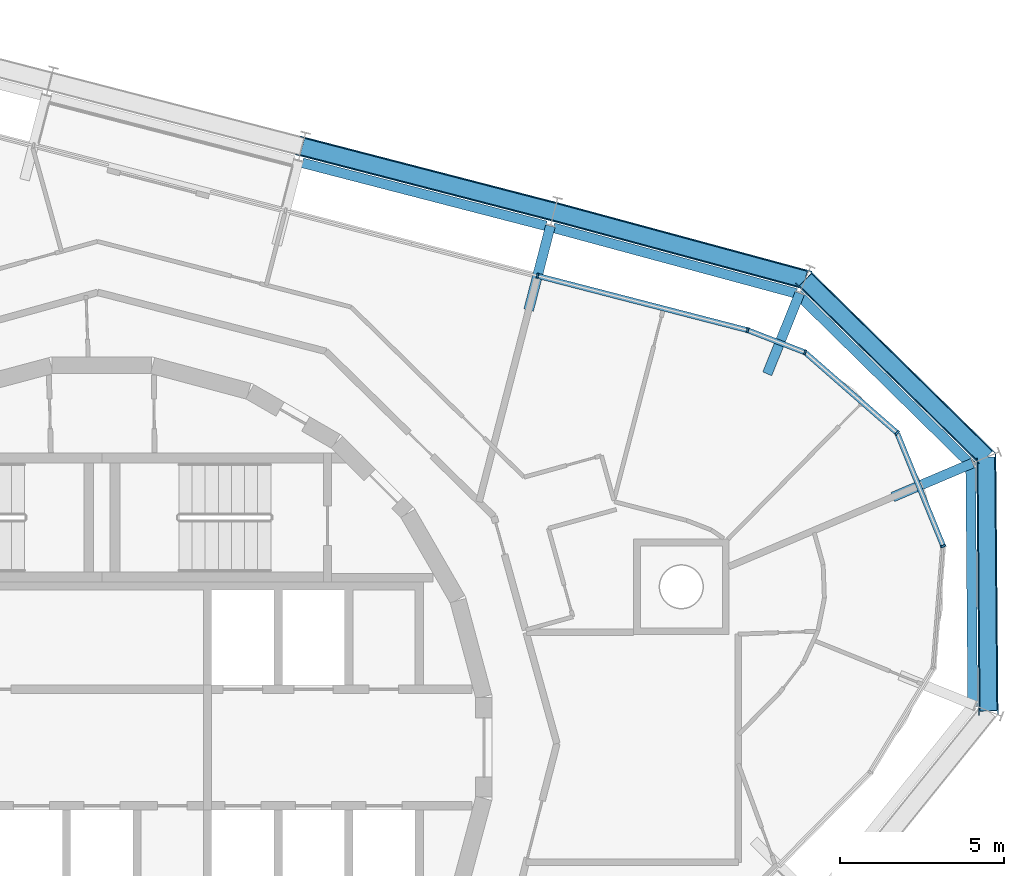
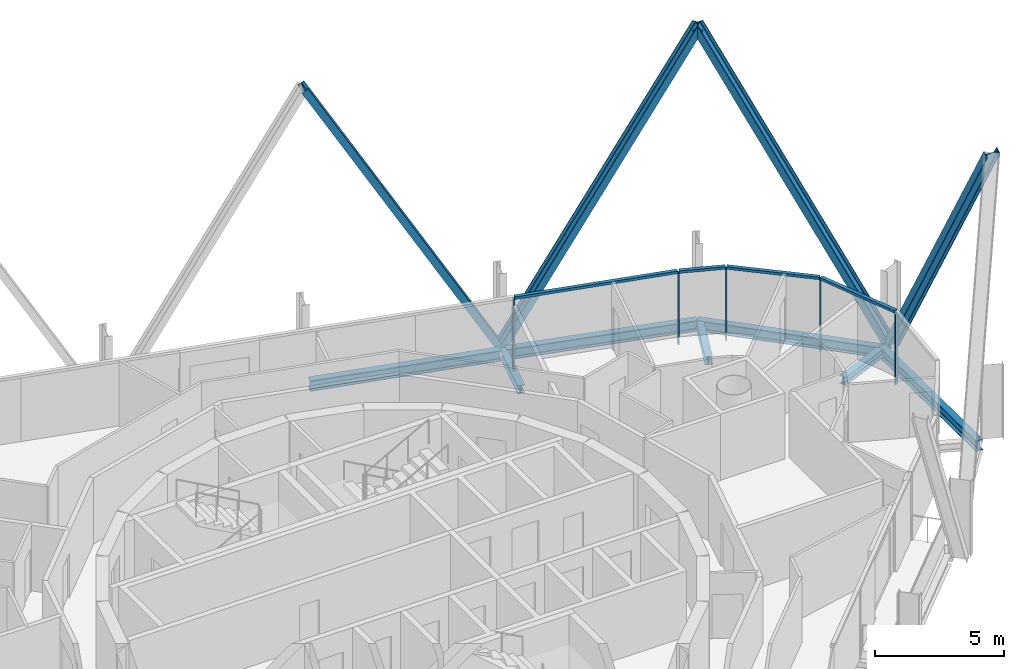
# One storey, part 7 of 15: 13 members, 7 beams, 2 elements without a shape of their own.
"""IFC4 building model written with IfcOpenShell, lengths in metres."""

import ifcopenshell
import ifcopenshell.guid

model = None  # the IFC model being written
_history = None  # IfcOwnerHistory: only IFC2X3 demands one
_inside = {}  # id of a spatial element -> (the spatial element, [elements in it])
_under = {}  # id of a project, library or spatial element -> (it, [spatial elements below it])
_declared = {}  # id of a project -> (the project, [libraries it declares])
_typed = {}  # id of a type object -> (the type object, [elements of that type])
_made_of = {}  # id of a material, layer set ... -> (it, [elements and type objects made of it])


def new_model(schema):
    """Start an empty IFC model of exactly this schema.

    Asked for "IFC4X3", IfcOpenShell would pick the latest addendum, in which some entities
    have other attributes; the version numbers below select the first issue.
    IFC2X3 requires an IfcOwnerHistory on every rooted entity: one is made here for all.
    """
    global model, _history
    if schema == "IFC4X3":
        model = ifcopenshell.file(schema_version=(4, 3, 0, 0))
    else:
        model = ifcopenshell.file(schema=schema)
    _inside.clear()
    _under.clear()
    _declared.clear()
    _typed.clear()
    _made_of.clear()
    _history = None
    if model.schema == "IFC2X3":
        org = make("IfcOrganization", Name="unknown")
        user = make(
            "IfcPersonAndOrganization",
            ThePerson=make("IfcPerson", FamilyName="unknown"),
            TheOrganization=org,
        )
        app = make(
            "IfcApplication",
            ApplicationDeveloper=org,
            Version="unknown",
            ApplicationFullName="unknown",
            ApplicationIdentifier="unknown",
        )
        _history = make(
            "IfcOwnerHistory",
            OwningUser=user,
            OwningApplication=app,
            ChangeAction="ADDED",
            CreationDate=0,
        )
    return model


def make(cls, **values):
    """One entity of the class cls with the attributes given. An attribute that is None is left unset."""
    return model.create_entity(
        cls, **{name: value for name, value in values.items() if value is not None}
    )


def rooted(cls, **values):
    """An entity with a GlobalId (a new one), such as an element, a storey or a relation."""
    return make(cls, GlobalId=ifcopenshell.guid.new(), OwnerHistory=_history, **values)


def si_unit(unit_type, name, prefix=None):
    """IfcSIUnit, for example si_unit("LENGTHUNIT", "METRE", prefix="MILLI")."""
    return make("IfcSIUnit", UnitType=unit_type, Prefix=prefix, Name=name)


def assignment(units):
    """IfcUnitAssignment: the units of a project."""
    return None if units is None else make("IfcUnitAssignment", Units=units)


def point(xyz):
    """IfcCartesianPoint."""
    return None if xyz is None else make("IfcCartesianPoint", Coordinates=xyz)


def direction(xyz):
    """IfcDirection."""
    return None if xyz is None else make("IfcDirection", DirectionRatios=xyz)


def frame(location, z_axis=None, x_axis=None):
    """IfcAxis2Placement3D, a coordinate frame: its origin and axes. An axis left out is left unset."""
    return make(
        "IfcAxis2Placement3D",
        Location=point(location),
        Axis=direction(z_axis),
        RefDirection=direction(x_axis),
    )


def frame_2d(location, x_axis=None):
    """IfcAxis2Placement2D, a coordinate frame in the plane: its origin and x axis."""
    return make(
        "IfcAxis2Placement2D", Location=point(location), RefDirection=direction(x_axis)
    )


def origin():
    """The frame at (0, 0, 0) with its axes left unset."""
    return frame((0.0, 0.0, 0.0))


def origin_2d():
    """The frame at (0, 0) in the plane with its x axis left unset."""
    return frame_2d((0.0, 0.0))


def place(relative_to, where):
    """IfcLocalPlacement: puts the frame where relative to a parent placement (None: the world)."""
    return make(
        "IfcLocalPlacement", PlacementRelTo=relative_to, RelativePlacement=where
    )


def context(
    kind, dimensions, precision=None, world=None, true_north=None, identifier=None
):
    """IfcGeometricRepresentationContext, for example the 3D "Model" context."""
    return make(
        "IfcGeometricRepresentationContext",
        ContextIdentifier=identifier,
        ContextType=kind,
        CoordinateSpaceDimension=dimensions,
        Precision=precision,
        WorldCoordinateSystem=world,
        TrueNorth=true_north,
    )


def subcontext(parent, identifier, kind, view, scale=None):
    """IfcGeometricRepresentationSubContext, for example "Body" below "Model"."""
    return make(
        "IfcGeometricRepresentationSubContext",
        ContextIdentifier=identifier,
        ContextType=kind,
        ParentContext=parent,
        TargetScale=scale,
        TargetView=view,
    )


def project(units=None, contexts=None):
    """IfcProject with its units and contexts."""
    return rooted(
        "IfcProject",
        Name="project",
        RepresentationContexts=contexts,
        UnitsInContext=assignment(units),
    )


def spatial(cls, under=None, at=None, **own):
    """A site, building, storey or space (cls), placed at a placement, below another one or the project."""
    s = rooted(cls, ObjectPlacement=at, **own)
    if under is not None:
        _under.setdefault(under.id(), (under, []))[1].append(s)
    return s


def profile(cls, at=None, kind="AREA", **sizes):
    """A parametric profile (cls). Its sizes go by their IFC names, for example OverallWidth=200.0."""
    return make(cls, ProfileType=kind, Position=at, **sizes)


def rectangle(**sizes):
    """IfcRectangleProfileDef."""
    return profile("IfcRectangleProfileDef", **sizes)


def i_section(**sizes):
    """IfcIShapeProfileDef."""
    return profile("IfcIShapeProfileDef", **sizes)


def extrude(swept, where, along, depth):
    """IfcExtrudedAreaSolid: the profile swept, set in the frame where, extruded along a direction by depth."""
    return make(
        "IfcExtrudedAreaSolid",
        SweptArea=swept,
        Position=where,
        ExtrudedDirection=direction(along),
        Depth=depth,
    )


def shape(context_of_items, identifier, shape_type, items):
    """IfcShapeRepresentation: the items that make up one representation, for example the "Body"."""
    return make(
        "IfcShapeRepresentation",
        ContextOfItems=context_of_items,
        RepresentationIdentifier=identifier,
        RepresentationType=shape_type,
        Items=items,
    )


def material(Name=None, Category=None):
    """IfcMaterial."""
    return make("IfcMaterial", Name=Name, Category=Category)


def layer(
    of_material, thickness, ventilated=None, Name=None, Category=None, Priority=None
):
    """IfcMaterialLayer: one layer of a wall or slab, of a material (None: an air gap)."""
    return make(
        "IfcMaterialLayer",
        Material=of_material,
        LayerThickness=thickness,
        IsVentilated=ventilated,
        Name=Name,
        Category=Category,
        Priority=Priority,
    )


def layer_set(layers, Name=None):
    """IfcMaterialLayerSet."""
    return make("IfcMaterialLayerSet", MaterialLayers=layers, LayerSetName=Name)


def material_profile(
    of_material, cross_section, Name=None, Category=None, Priority=None
):
    """IfcMaterialProfile: a cross section and its material."""
    return make(
        "IfcMaterialProfile",
        Name=Name,
        Material=of_material,
        Profile=cross_section,
        Priority=Priority,
        Category=Category,
    )


def profile_set(profiles, Name=None, composite=None):
    """IfcMaterialProfileSet."""
    return make(
        "IfcMaterialProfileSet",
        Name=Name,
        MaterialProfiles=profiles,
        CompositeProfile=composite,
    )


def made_of(thing, what):
    """Note that an element or type object is made of a material, layer set ...; save() writes the relation."""
    if what is not None:
        _made_of.setdefault(what.id(), (what, []))[1].append(thing)
    return thing


def type_object(cls, material=None, **own):
    """A type object (cls), such as IfcWallType, which elements share."""
    return made_of(rooted(cls, **own), material)


def element(
    cls,
    number,
    at=None,
    inside=None,
    cuts=None,
    type_object=None,
    material=None,
    context=None,
    identifier="Body",
    shape_type=None,
    held_by="IfcProductDefinitionShape",
    body=None,
    shapes=None,
    **own,
):
    """One element of the class cls, such as IfcWall. Its Tag is "e" and its number.

    at: its placement. inside: the storey or other place that contains it. cuts: it is an
    opening in that element (IfcRelVoidsElement). A single representation is given by context,
    identifier, shape_type and body (its items); several are given by shapes. held_by: the class
    of the entity that holds the representations. save() writes the other relations.
    """
    e = rooted(cls, Tag="e%d" % number, ObjectPlacement=at, **own)
    if body is not None:
        shapes = [shape(context, identifier, shape_type, body)]
    if shapes is not None:
        e.Representation = make(held_by, Representations=shapes)
    if inside is not None:
        _inside.setdefault(inside.id(), (inside, []))[1].append(e)
    if cuts is not None:
        rooted(
            "IfcRelVoidsElement", RelatingBuildingElement=cuts, RelatedOpeningElement=e
        )
    if type_object is not None:
        _typed.setdefault(type_object.id(), (type_object, []))[1].append(e)
    return made_of(e, material)


def aggregate(whole, parts):
    """IfcRelAggregates: a whole, such as a stair, and the parts it consists of."""
    return rooted("IfcRelAggregates", RelatingObject=whole, RelatedObjects=parts)


def save(model, path):
    """Write the relations noted so far, then the file.

    IfcRelAggregates (storeys below a building ...), IfcRelContainedInSpatialStructure (elements
    in a storey), IfcRelDefinesByType, IfcRelAssociatesMaterial and IfcRelDeclares: one each for
    every whole, place, type object, material and project.
    """
    for whole, parts in _under.values():
        aggregate(whole, parts)
    for where, things in _inside.values():
        rooted(
            "IfcRelContainedInSpatialStructure",
            RelatedElements=things,
            RelatingStructure=where,
        )
    for kind, things in _typed.values():
        rooted("IfcRelDefinesByType", RelatedObjects=things, RelatingType=kind)
    for what, things in _made_of.values():
        rooted("IfcRelAssociatesMaterial", RelatedObjects=things, RelatingMaterial=what)
    for by, libraries in _declared.values():
        rooted("IfcRelDeclares", RelatingContext=by, RelatedDefinitions=libraries)
    model.write(path)


model = new_model("IFC4")

# Units and contexts
model_context = context("Model", 3, precision=1e-05, world=origin(), true_north=direction((0.0, 1.0)))
body_context = subcontext(model_context, "Body", "Model", "MODEL_VIEW")
ifc_project = project(units=[si_unit("LENGTHUNIT", "METRE"), si_unit("AREAUNIT", "SQUARE_METRE"), si_unit("VOLUMEUNIT", "CUBIC_METRE"), si_unit("PLANEANGLEUNIT", "RADIAN"), si_unit("MASSUNIT", "GRAM", prefix="KILO")], contexts=[model_context])

# Site, building, storey
site_placement = place(None, origin())
site = spatial("IfcSite", under=ifc_project, at=site_placement, CompositionType="ELEMENT")
building_placement = place(site_placement, origin())
building = spatial("IfcBuilding", under=site, at=building_placement, Name="Spindle Arch Residences", CompositionType="ELEMENT")
storey_placement = place(building_placement, frame((0.0, 0.0, 312.199951171875)))
storey = spatial("IfcBuildingStorey", under=building, at=storey_placement, Name="L80", CompositionType="ELEMENT", Elevation=312.199951171875)

# Curtain wall, members
ifc_material_1 = material(Name="Aluminium bronze unitised frame with tinted glass", Category="aluminium")
ifc_layer_1 = layer(ifc_material_1, 0.159912109375)
ifc_layer_set_1 = layer_set([ifc_layer_1], Name="CW-D corner wall on the fillet arcs")
curtain_wall_type_1 = type_object("IfcCurtainWallType", Name="CW-D corner wall on the fillet arcs", PredefinedType="NOTDEFINED", material=ifc_layer_set_1)
curtain_wall_1_placement = place(storey_placement, origin())
curtain_wall_1 = element("IfcCurtainWall", 1, at=curtain_wall_1_placement, inside=storey, type_object=curtain_wall_type_1, Name="CW-D L80 run 1", PredefinedType="NOTDEFINED")
ifc_material_2 = material(Name="Aluminium bronze anodised mullion", Category="aluminium")
ifc_material_profile_1 = material_profile(ifc_material_2, rectangle(XDim=0.159912109375, YDim=0.06005859375, at=origin_2d()), Name="MU 60x160")
ifc_profile_set_1 = profile_set([ifc_material_profile_1], Name="Aluminium bronze anodised mullion")
member_type_1 = type_object("IfcMemberType", Name="Bronze mullion 60x160", PredefinedType="MULLION", material=ifc_profile_set_1)
member_1_placement = place(storey_placement, frame((25.646728515625, 6.13916015625, -0.3798828125), z_axis=(0.0, 0.0, 1.0), x_axis=(-0.926090247396, -0.377302072189, 0.0)))
member_1 = element("IfcMember", 2, at=member_1_placement, type_object=member_type_1, Name="CW-D mullion 03", PredefinedType="MULLION", context=body_context, shape_type="SweptSolid", body=[
    extrude(rectangle(XDim=0.159912109375, YDim=0.06005859375, at=origin_2d()), origin(), (0.0, 0.0, 1.0), 3.3798828125),
])
member_2_placement = place(storey_placement, frame((24.24072265625, 9.59033203125, -0.3798828125), z_axis=(0.0, 0.0, 1.0), x_axis=(-0.658251611308, -0.752797991635, 0.0)))
member_2 = element("IfcMember", 3, at=member_2_placement, type_object=member_type_1, Name="CW-D mullion 04", PredefinedType="MULLION", context=body_context, shape_type="SweptSolid", body=[
    extrude(rectangle(XDim=0.159912109375, YDim=0.06005859375, at=origin_2d()), origin(), (0.0, 0.0, 1.0), 3.3798828125),
])
member_3_placement = place(storey_placement, frame((21.435302734375, 12.04345703125, -0.3798828125), z_axis=(0.0, 0.0, 1.0), x_axis=(-0.361082099353, -0.932534030225, 0.0)))
member_3 = element("IfcMember", 4, at=member_3_placement, type_object=member_type_1, Name="CW-D mullion 05", PredefinedType="MULLION", context=body_context, shape_type="SweptSolid", body=[
    extrude(rectangle(XDim=0.159912109375, YDim=0.06005859375, at=origin_2d()), origin(), (0.0, 0.0, 1.0), 3.3798828125),
])
member_4_placement = place(storey_placement, frame((19.685791015625, 12.720947265625, -0.3798828125), z_axis=(0.0, 0.0, 1.0), x_axis=(-0.250380004054, -0.968147640378, 0.0)))
member_4 = element("IfcMember", 5, at=member_4_placement, type_object=member_type_1, Name="CW-D mullion 06", PredefinedType="MULLION", context=body_context, shape_type="SweptSolid", body=[
    extrude(rectangle(XDim=0.159912109375, YDim=0.06005859375, at=origin_2d()), origin(), (0.0, 0.0, 1.0), 3.3798828125),
])

# Curtain wall, member
ifc_material_3 = material(Name="Aluminium bronze unitised frame with tinted glass", Category="aluminium")
ifc_layer_2 = layer(ifc_material_3, 0.159912109375)
ifc_layer_set_2 = layer_set([ifc_layer_2], Name="CW-C typical residential unitised wall")
curtain_wall_type_2 = type_object("IfcCurtainWallType", Name="CW-C typical residential unitised wall", PredefinedType="NOTDEFINED", material=ifc_layer_set_2)
curtain_wall_2_placement = place(storey_placement, origin())
curtain_wall_2 = element("IfcCurtainWall", 6, at=curtain_wall_2_placement, inside=storey, type_object=curtain_wall_type_2, Name="CW-C L80 run 2", PredefinedType="NOTDEFINED")
member_5_placement = place(storey_placement, frame((13.280517578125, 14.37744140625, -0.3798828125), z_axis=(0.0, 0.0, 1.0), x_axis=(-0.250380004054, -0.968147640378, 0.0)))
member_5 = element("IfcMember", 7, at=member_5_placement, type_object=member_type_1, Name="CW-C mullion 05", PredefinedType="MULLION", context=body_context, shape_type="SweptSolid", body=[
    extrude(rectangle(XDim=0.159912109375, YDim=0.06005859375, at=origin_2d()), origin(), (0.0, 0.0, 1.0), 3.3798828125),
])
aggregate(curtain_wall_2, [member_5])

# Member
ifc_material_4 = material(Name="Aluminium bronze anodised transom", Category="aluminium")
ifc_material_profile_2 = material_profile(ifc_material_4, rectangle(XDim=0.159912109375, YDim=0.1201171875, at=origin_2d()), Name="TR 120x160")
ifc_profile_set_2 = profile_set([ifc_material_profile_2], Name="Aluminium bronze anodised transom")
member_type_2 = type_object("IfcMemberType", Name="Bronze transom 120x160", PredefinedType="USERDEFINED", material=ifc_profile_set_2)
member_6_placement = place(storey_placement, frame((25.635498046875, 6.166748046875, 3.06005859375), z_axis=(-0.377318036671, 0.926083743083, 0.0), x_axis=(-0.926083743083, -0.377318036671, 0.0)))
member_6 = element("IfcMember", 8, at=member_6_placement, type_object=member_type_2, Name="CW-D transom 03", ObjectType="TRANSOM", PredefinedType="USERDEFINED", context=body_context, shape_type="SweptSolid", body=[
    extrude(rectangle(XDim=0.159912109375, YDim=0.1201171875, at=origin_2d()), origin(), (0.0, 0.0, 1.0), 3.666748046875),
])

member_7_placement = place(storey_placement, frame((24.218017578125, 9.610107421875, 3.06005859375), z_axis=(-0.752799384177, 0.658250018749, 0.0), x_axis=(-0.658250018749, -0.752799384177, 0.0)))
member_7 = element("IfcMember", 9, at=member_7_placement, type_object=member_type_2, Name="CW-D transom 04", ObjectType="TRANSOM", PredefinedType="USERDEFINED", context=body_context, shape_type="SweptSolid", body=[
    extrude(rectangle(XDim=0.159912109375, YDim=0.1201171875, at=origin_2d()), origin(), (0.0, 0.0, 1.0), 3.666748046875),
])

member_8_placement = place(storey_placement, frame((21.4072265625, 12.054443359375, 3.06005859375), z_axis=(-0.932581237084, 0.360960158796, 0.0), x_axis=(-0.360960158796, -0.932581237084, 0.0)))
member_8 = element("IfcMember", 10, at=member_8_placement, type_object=member_type_2, Name="CW-D transom 05", ObjectType="TRANSOM", PredefinedType="USERDEFINED", context=body_context, shape_type="SweptSolid", body=[
    extrude(rectangle(XDim=0.159912109375, YDim=0.1201171875, at=origin_2d()), origin(), (0.0, 0.0, 1.0), 1.81591796875),
])

member_9_placement = place(storey_placement, frame((19.65673828125, 12.728515625, 3.06005859375), z_axis=(-0.968152514415, 0.250361156797, 0.0), x_axis=(-0.250361156797, -0.968152514415, 0.0)))
member_9 = element("IfcMember", 11, at=member_9_placement, type_object=member_type_2, Name="CW-D transom 06", ObjectType="TRANSOM", PredefinedType="USERDEFINED", context=body_context, shape_type="SweptSolid", body=[
    extrude(rectangle(XDim=0.159912109375, YDim=0.1201171875, at=origin_2d()), origin(), (0.0, 0.0, 1.0), 6.555908203125),
])

aggregate(curtain_wall_1, [member_1, member_6, member_2, member_7, member_3, member_8, member_4, member_9])

# Members
ifc_material_5 = material(Name="Steel S460ML, intumescent coating R 240", Category="steel")
ifc_material_profile_3 = material_profile(ifc_material_5, i_section(OverallWidth=0.300048828125, OverallDepth=0.60009765625, WebThickness=0.015380859375, FlangeThickness=0.030029296875, FilletRadius=0.027099609375, at=origin_2d()), Name="HEB 600")
ifc_profile_set_3 = profile_set([ifc_material_profile_3], Name="Steel S460ML, intumescent coating R 240")
member_type_3 = type_object("IfcMemberType", Name="Diagrid diagonal HEB 600", PredefinedType="BRACE", material=ifc_profile_set_3)
for number, where, z_axis, x_axis, name in (
    (12, (26.959716796875, 8.84521484375, -0.6298828125), (0.004219656192, -0.489541944782, 0.871969540065), (-0.007515750245, 0.871937149283, 0.48956013032), "Diagrid diagonal 8.2.3"),
    (13, (26.959716796875, 8.84521484375, -0.6298828125), (-0.34924382847, 0.343061153923, 0.871973504726), (0.622059965706, -0.611047618448, 0.489553068681), "Diagrid diagonal 8.2.4"),
):
    element("IfcMember", number, at=place(storey_placement, frame(where, z_axis=z_axis, x_axis=x_axis)), inside=storey, type_object=member_type_3, Name=name, PredefinedType="BRACE", context=body_context, shape_type="SweptSolid", body=[
        extrude(i_section(OverallWidth=0.300048828125, OverallDepth=0.60009765625, WebThickness=0.015380859375, FlangeThickness=0.030029296875, FilletRadius=0.027099609375, at=origin_2d()), origin(), (0.0, 0.0, 1.0), 15.795166015625),
    ])
member_10_placement = place(storey_placement, frame((13.7861328125, 16.3330078125, -0.6298828125), z_axis=(0.481778718453, -0.130183479113, 0.866568824856), x_axis=(-0.836565622039, 0.22605195915, 0.499057583639)))
element("IfcMember", 14, at=member_10_placement, inside=storey, type_object=member_type_3, Name="Diagrid diagonal 8.2.5", PredefinedType="BRACE", context=body_context, shape_type="SweptSolid", body=[
    extrude(i_section(OverallWidth=0.300048828125, OverallDepth=0.60009765625, WebThickness=0.015380859375, FlangeThickness=0.030029296875, FilletRadius=0.027099609375, at=origin_2d()), origin(), (0.0, 0.0, 1.0), 15.8935546875),
])
member_11_placement = place(storey_placement, frame((13.7861328125, 16.3330078125, -0.6298828125), z_axis=(-0.483299340891, 0.124994916296, 0.866486017195), x_axis=(0.838884201546, -0.216959245922, 0.499201344155)))
element("IfcMember", 15, at=member_11_placement, inside=storey, type_object=member_type_3, Name="Diagrid diagonal 8.2.6", PredefinedType="BRACE", context=body_context, shape_type="SweptSolid", body=[
    extrude(i_section(OverallWidth=0.300048828125, OverallDepth=0.60009765625, WebThickness=0.015380859375, FlangeThickness=0.030029296875, FilletRadius=0.027099609375, at=origin_2d()), origin(), (0.0, 0.0, 1.0), 15.895263671875),
])

# Beams
ifc_material_6 = material(Name="Steel S460ML, intumescent coating R 120", Category="steel")
ifc_material_profile_4 = material_profile(ifc_material_6, i_section(OverallWidth=0.300048828125, OverallDepth=0.5, WebThickness=0.014404296875, FlangeThickness=0.028076171875, FilletRadius=0.027099609375, at=origin_2d()), Name="HEB 500")
ifc_profile_set_4 = profile_set([ifc_material_profile_4], Name="Steel S460ML, intumescent coating R 120")
beam_type_1 = type_object("IfcBeamType", Name="Exoskeleton edge beam HEB 500", PredefinedType="BEAM", material=ifc_profile_set_4)
for number, where, z_axis, x_axis, name in (
    (16, (26.54541015625, 1.238525390625, -0.6298828125), (-0.008657825592, 0.999962520326, 0.0), (-0.999962520326, -0.008657825592, 0.0), "Exoskeleton edge beam 3"),
    (17, (26.530517578125, 8.59375, -0.6298828125), (-0.713367950358, 0.700789674155, 0.0), (-0.700789674155, -0.713367950358, 0.0), "Exoskeleton edge beam 4"),
):
    element("IfcBeam", number, at=place(storey_placement, frame(where, z_axis=z_axis, x_axis=x_axis)), inside=storey, type_object=beam_type_1, Name=name, PredefinedType="BEAM", context=body_context, shape_type="SweptSolid", body=[
        extrude(i_section(OverallWidth=0.300048828125, OverallDepth=0.5, WebThickness=0.014404296875, FlangeThickness=0.028076171875, FilletRadius=0.027099609375, at=origin_2d()), origin(), (0.0, 0.0, 1.0), 7.47265625),
    ])
beam_1_placement = place(storey_placement, frame((21.16748046875, 13.842041015625, -0.6298828125), z_axis=(-0.965376606597, 0.260860130024, 0.0), x_axis=(-0.260860130024, -0.965376606597, 0.0)))
element("IfcBeam", 18, at=beam_1_placement, inside=storey, type_object=beam_type_1, Name="Exoskeleton edge beam 5", PredefinedType="BEAM", context=body_context, shape_type="SweptSolid", body=[
    extrude(i_section(OverallWidth=0.300048828125, OverallDepth=0.5, WebThickness=0.014404296875, FlangeThickness=0.028076171875, FilletRadius=0.027099609375, at=origin_2d()), origin(), (0.0, 0.0, 1.0), 7.671630859375),
])
beam_2_placement = place(storey_placement, frame((13.540283203125, 15.90087890625, -0.6298828125), z_axis=(-0.968149836341, 0.250371512743, 0.0), x_axis=(-0.250371512743, -0.968149836341, 0.0)))
element("IfcBeam", 19, at=beam_2_placement, inside=storey, type_object=beam_type_1, Name="Exoskeleton edge beam 6", PredefinedType="BEAM", context=body_context, shape_type="SweptSolid", body=[
    extrude(i_section(OverallWidth=0.300048828125, OverallDepth=0.5, WebThickness=0.014404296875, FlangeThickness=0.028076171875, FilletRadius=0.027099609375, at=origin_2d()), origin(), (0.0, 0.0, 1.0), 7.675048828125),
])
ifc_material_7 = material(Name="Steel S460ML, intumescent coating R 120", Category="steel")
ifc_material_profile_5 = material_profile(ifc_material_7, i_section(OverallWidth=0.300048828125, OverallDepth=0.389892578125, WebThickness=0.010986328125, FlangeThickness=0.01904296875, FilletRadius=0.027099609375, at=origin_2d()), Name="HEA 400")
ifc_profile_set_5 = profile_set([ifc_material_profile_5], Name="Steel S460ML, intumescent coating R 120")
beam_type_2 = type_object("IfcBeamType", Name="Floor outrigger HEA 400", PredefinedType="BEAM", material=ifc_profile_set_5)
for number, where, z_axis, x_axis, name in (
    (20, (26.54541015625, 8.669189453125, -0.574951171875), (-0.920502463847, -0.390736758, 0.0), (0.390736758, -0.920502463847, 0.0), "Floor outrigger 4"),
    (21, (21.27490234375, 13.8466796875, -0.574951171875), (-0.374327471234, -0.927296578382, 0.0), (0.927296578382, -0.374327471234, 0.0), "Floor outrigger 5"),
):
    element("IfcBeam", number, at=place(storey_placement, frame(where, z_axis=z_axis, x_axis=x_axis)), inside=storey, type_object=beam_type_2, Name=name, PredefinedType="BEAM", context=body_context, shape_type="SweptSolid", body=[
        extrude(i_section(OverallWidth=0.300048828125, OverallDepth=0.389892578125, WebThickness=0.010986328125, FlangeThickness=0.01904296875, FilletRadius=0.027099609375, at=origin_2d()), origin(), (0.0, 0.0, 1.0), 2.64990234375),
    ])
beam_3_placement = place(storey_placement, frame((13.673583984375, 15.8974609375, -0.574951171875), z_axis=(-0.250396221036, -0.968143446237, 0.0), x_axis=(0.968143446237, -0.250396221036, 0.0)))
element("IfcBeam", 22, at=beam_3_placement, inside=storey, type_object=beam_type_2, Name="Floor outrigger 6", PredefinedType="BEAM", context=body_context, shape_type="SweptSolid", body=[
    extrude(i_section(OverallWidth=0.300048828125, OverallDepth=0.389892578125, WebThickness=0.010986328125, FlangeThickness=0.01904296875, FilletRadius=0.027099609375, at=origin_2d()), origin(), (0.0, 0.0, 1.0), 2.650146484375),
])

save(model, "model.ifc")
